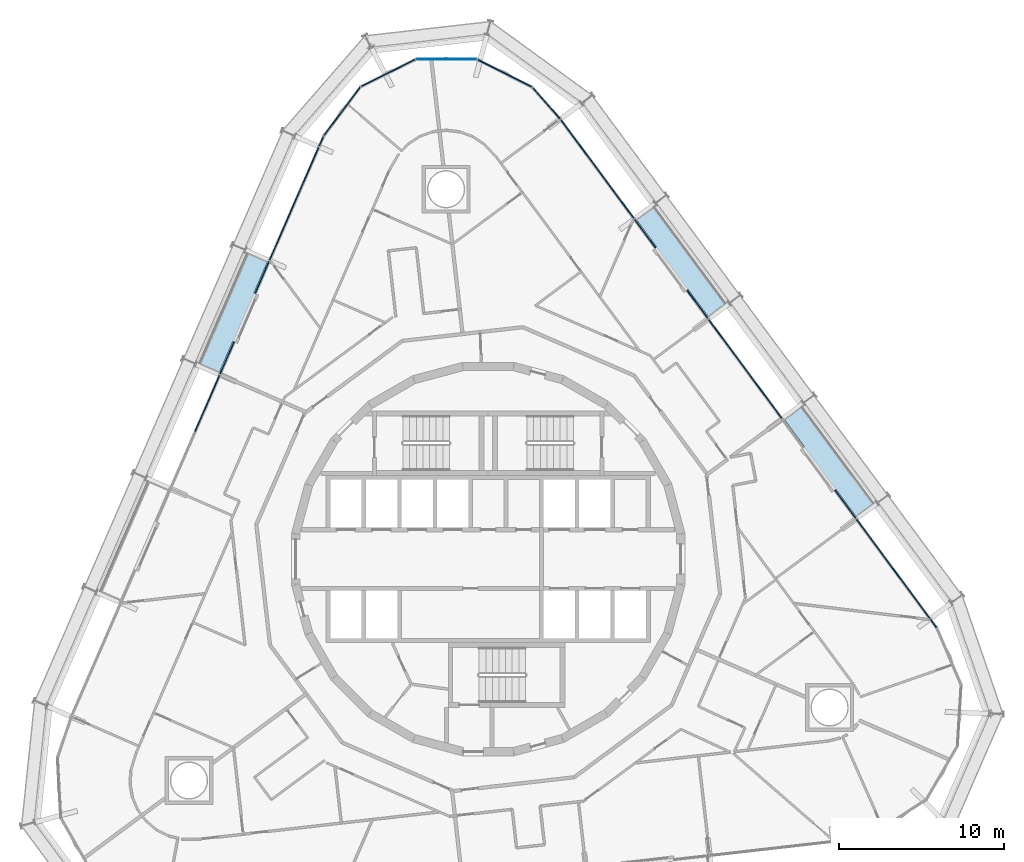
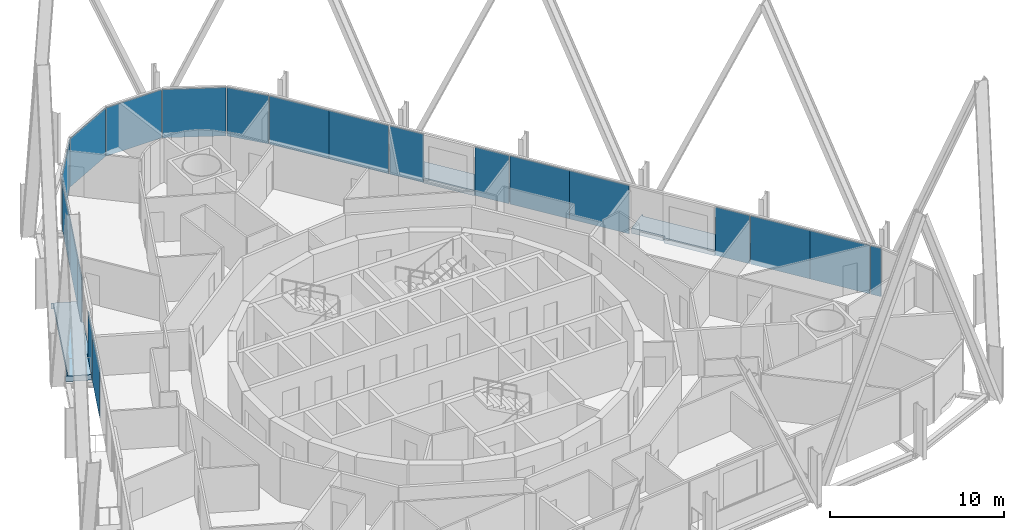
# One storey, part 15 of 23: 21 plates, 3 slabs, 4 elements without a shape of their own.
"""IFC4 building model written with IfcOpenShell, lengths in metres."""

from ifc_helpers import new_model, si_unit, direction, frame, origin, origin_2d, place, context, subcontext, project, spatial, polyline, rectangle, outline, extrude, material, layer, layer_set, type_object, element, aggregate, save


model = new_model("IFC4")

# Units and contexts
model_context = context("Model", 3, precision=1e-05, world=origin(), true_north=direction((0.0, 1.0)))
body_context = subcontext(model_context, "Body", "Model", "MODEL_VIEW")
ifc_project = project(units=[si_unit("LENGTHUNIT", "METRE"), si_unit("AREAUNIT", "SQUARE_METRE"), si_unit("VOLUMEUNIT", "CUBIC_METRE"), si_unit("PLANEANGLEUNIT", "RADIAN"), si_unit("MASSUNIT", "GRAM", prefix="KILO")], contexts=[model_context])

# Site, building, storey
site_placement = place(None, origin())
site = spatial("IfcSite", under=ifc_project, at=site_placement, CompositionType="ELEMENT")
building_placement = place(site_placement, origin())
building = spatial("IfcBuilding", under=site, at=building_placement, Name="Spindle Arch Residences", CompositionType="ELEMENT")
storey_placement = place(building_placement, frame((0.0, 0.0, 90.699951171875)))
storey = spatial("IfcBuildingStorey", under=building, at=storey_placement, Name="L21", CompositionType="ELEMENT", Elevation=90.699951171875)

# Slabs
ifc_material_1 = material(Name="Concrete C40/50", Category="concrete")
ifc_layer_1 = layer(ifc_material_1, 0.3798828125)
ifc_layer_set_1 = layer_set([ifc_layer_1], Name="Balcony slab 380")
slab_type = type_object("IfcSlabType", Name="Balcony slab 380", PredefinedType="FLOOR", material=ifc_layer_set_1)
slab_1_placement = place(storey_placement, frame((0.0, 0.0, -0.3798828125)))
element("IfcSlab", 1, at=slab_1_placement, inside=storey, type_object=slab_type, Name="Balcony L21 bay 7", PredefinedType="FLOOR", context=body_context, shape_type="SweptSolid", body=[
    extrude(outline(polyline([(23.470703125, 3.430419921875), (23.426025390625, 3.49072265625), (23.305419921875, 3.401611328125), (19.011474609375, 9.204345703125), (19.132080078125, 9.293701171875), (19.08740234375, 9.35400390625), (17.8896484375, 8.4677734375), (19.129638671875, 6.7919921875), (19.0009765625, 6.697021484375), (20.904296875, 4.12451171875), (21.032958984375, 4.2197265625), (22.27294921875, 2.544189453125), (23.470703125, 3.430419921875)])), origin(), (0.0, 0.0, 1.0), 0.3798828125),
])
slab_2_placement = place(storey_placement, frame((0.0, 0.0, -0.3798828125)))
element("IfcSlab", 2, at=slab_2_placement, inside=storey, type_object=slab_type, Name="Balcony L21 bay 9", PredefinedType="FLOOR", context=body_context, shape_type="SweptSolid", body=[
    extrude(outline(polyline([(14.52587890625, 15.5185546875), (14.481201171875, 15.578857421875), (14.360595703125, 15.48974609375), (10.066650390625, 21.29248046875), (10.187255859375, 21.3818359375), (10.142822265625, 21.442138671875), (8.945068359375, 20.5556640625), (10.184814453125, 18.880126953125), (10.05615234375, 18.78515625), (11.959716796875, 16.212646484375), (12.088134765625, 16.307861328125), (13.328125, 14.63232421875), (14.52587890625, 15.5185546875)])), origin(), (0.0, 0.0, 1.0), 0.3798828125),
])
slab_3_placement = place(storey_placement, frame((0.0, 0.0, -0.3798828125)))
element("IfcSlab", 3, at=slab_3_placement, inside=storey, type_object=slab_type, Name="Balcony L21 bay 15", PredefinedType="FLOOR", context=body_context, shape_type="SweptSolid", body=[
    extrude(outline(polyline([(-14.7060546875, 18.61083984375), (-14.736083984375, 18.5419921875), (-14.5986328125, 18.482177734375), (-17.47705078125, 11.8623046875), (-17.614501953125, 11.922119140625), (-17.64453125, 11.853271484375), (-16.278076171875, 11.259033203125), (-15.447021484375, 13.170654296875), (-15.30029296875, 13.10693359375), (-14.024169921875, 16.04150390625), (-14.1708984375, 16.105224609375), (-13.33984375, 18.016845703125), (-14.7060546875, 18.61083984375)])), origin(), (0.0, 0.0, 1.0), 0.3798828125),
])

# Curtain wall, plate
ifc_material_2 = material(Name="Aluminium bronze unitised frame with tinted glass", Category="aluminium")
ifc_layer_2 = layer(ifc_material_2, 0.159912109375)
ifc_layer_set_2 = layer_set([ifc_layer_2], Name="CW-D corner wall on the fillet arcs")
curtain_wall_type_1 = type_object("IfcCurtainWallType", Name="CW-D corner wall on the fillet arcs", PredefinedType="NOTDEFINED", material=ifc_layer_set_2)
curtain_wall_1_placement = place(storey_placement, origin())
curtain_wall_1 = element("IfcCurtainWall", 4, at=curtain_wall_1_placement, inside=storey, type_object=curtain_wall_type_1, Name="CW-D L21 run 1", PredefinedType="NOTDEFINED")
ifc_material_3 = material(Name="Tinted double glazing over aluminium faced non-combustible spandrel zone (K0)", Category="aluminium")
ifc_layer_3 = layer(ifc_material_3, 0.06005859375)
ifc_layer_set_3 = layer_set([ifc_layer_3], Name="Unitised glass panel with E 60 spandrel zone")
plate_type = type_object("IfcPlateType", Name="Unitised glass panel with E 60 spandrel zone", PredefinedType="CURTAIN_PANEL", material=ifc_layer_set_3)
plate_1_placement = place(storey_placement, frame((26.93408203125, -3.8896484375, -0.3798828125), z_axis=(0.0, 0.0, 1.0), x_axis=(-0.594822786751, 0.803856860617, 0.0)))
plate_1 = element("IfcPlate", 5, at=plate_1_placement, type_object=plate_type, Name="CW-D unit 05", PredefinedType="CURTAIN_PANEL", context=body_context, shape_type="SweptSolid", body=[
    extrude(rectangle(XDim=0.6416015625, YDim=0.06005859375, at=origin_2d()), origin(), (0.0, 0.0, 1.0), 3.3798828125),
])
aggregate(curtain_wall_1, [plate_1])

# Curtain wall, plates
ifc_material_4 = material(Name="Aluminium bronze unitised frame with tinted glass", Category="aluminium")
ifc_layer_4 = layer(ifc_material_4, 0.159912109375)
ifc_layer_set_4 = layer_set([ifc_layer_4], Name="CW-C typical residential unitised wall")
curtain_wall_type_2 = type_object("IfcCurtainWallType", Name="CW-C typical residential unitised wall", PredefinedType="NOTDEFINED", material=ifc_layer_set_4)
curtain_wall_2_placement = place(storey_placement, origin())
curtain_wall_2 = element("IfcCurtainWall", 6, at=curtain_wall_2_placement, inside=storey, type_object=curtain_wall_type_2, Name="CW-C L21 run 2", PredefinedType="NOTDEFINED")
plate_2_placement = place(storey_placement, frame((25.598388671875, -2.084716796875, -0.3798828125), z_axis=(0.0, 0.0, 1.0), x_axis=(-0.594822786751, 0.803856860617, 0.0)))
plate_2 = element("IfcPlate", 7, at=plate_2_placement, type_object=plate_type, Name="CW-C unit 05A", PredefinedType="CURTAIN_PANEL", context=body_context, shape_type="SweptSolid", body=[
    extrude(rectangle(XDim=3.7294921875, YDim=0.06005859375, at=origin_2d()), origin(), (0.0, 0.0, 1.0), 3.3798828125),
])
plate_3_placement = place(storey_placement, frame((23.380126953125, 0.913330078125, -0.3798828125), z_axis=(0.0, 0.0, 1.0), x_axis=(-0.594822786751, 0.803856860617, 0.0)))
plate_3 = element("IfcPlate", 8, at=plate_3_placement, type_object=plate_type, Name="CW-C unit 05B", PredefinedType="CURTAIN_PANEL", context=body_context, shape_type="SweptSolid", body=[
    extrude(rectangle(XDim=3.7294921875, YDim=0.06005859375, at=origin_2d()), origin(), (0.0, 0.0, 1.0), 3.3798828125),
])
plate_4_placement = place(storey_placement, frame((21.60205078125, 3.31640625, -0.3798828125), z_axis=(0.0, 0.0, 1.0), x_axis=(-0.594822786751, 0.803856860617, 0.0)))
plate_4 = element("IfcPlate", 9, at=plate_4_placement, type_object=plate_type, Name="CW-C unit 06L", PredefinedType="CURTAIN_PANEL", context=body_context, shape_type="SweptSolid", body=[
    extrude(rectangle(XDim=2.12939453125, YDim=0.06005859375, at=origin_2d()), origin(), (0.0, 0.0, 1.0), 3.3798828125),
])
plate_5_placement = place(storey_placement, frame((16.65380859375, 10.00341796875, -0.3798828125), z_axis=(0.0, 0.0, 1.0), x_axis=(-0.594822786751, 0.803856860617, 0.0)))
plate_5 = element("IfcPlate", 10, at=plate_5_placement, type_object=plate_type, Name="CW-C unit 07A", PredefinedType="CURTAIN_PANEL", context=body_context, shape_type="SweptSolid", body=[
    extrude(rectangle(XDim=3.7294921875, YDim=0.06005859375, at=origin_2d()), origin(), (0.0, 0.0, 1.0), 3.3798828125),
])
plate_6_placement = place(storey_placement, frame((14.435546875, 13.00146484375, -0.3798828125), z_axis=(0.0, 0.0, 1.0), x_axis=(-0.594822786751, 0.803856860617, 0.0)))
plate_6 = element("IfcPlate", 11, at=plate_6_placement, type_object=plate_type, Name="CW-C unit 07B", PredefinedType="CURTAIN_PANEL", context=body_context, shape_type="SweptSolid", body=[
    extrude(rectangle(XDim=3.7294921875, YDim=0.06005859375, at=origin_2d()), origin(), (0.0, 0.0, 1.0), 3.3798828125),
])
plate_7_placement = place(storey_placement, frame((12.6572265625, 15.404296875, -0.3798828125), z_axis=(0.0, 0.0, 1.0), x_axis=(-0.594822786751, 0.803856860617, 0.0)))
plate_7 = element("IfcPlate", 12, at=plate_7_placement, type_object=plate_type, Name="CW-C unit 08L", PredefinedType="CURTAIN_PANEL", context=body_context, shape_type="SweptSolid", body=[
    extrude(rectangle(XDim=2.12939453125, YDim=0.06005859375, at=origin_2d()), origin(), (0.0, 0.0, 1.0), 3.3798828125),
])
plate_8_placement = place(storey_placement, frame((9.4873046875, 19.6884765625, -0.3798828125), z_axis=(0.0, 0.0, 1.0), x_axis=(-0.594822786751, 0.803856860617, 0.0)))
plate_8 = element("IfcPlate", 13, at=plate_8_placement, type_object=plate_type, Name="CW-C unit 08R", PredefinedType="CURTAIN_PANEL", context=body_context, shape_type="SweptSolid", body=[
    extrude(rectangle(XDim=2.12939453125, YDim=0.06005859375, at=origin_2d()), origin(), (0.0, 0.0, 1.0), 3.3798828125),
])
plate_9_placement = place(storey_placement, frame((7.708984375, 22.091552734375, -0.3798828125), z_axis=(0.0, 0.0, 1.0), x_axis=(-0.594822786751, 0.803856860617, 0.0)))
plate_9 = element("IfcPlate", 14, at=plate_9_placement, type_object=plate_type, Name="CW-C unit 09A", PredefinedType="CURTAIN_PANEL", context=body_context, shape_type="SweptSolid", body=[
    extrude(rectangle(XDim=3.7294921875, YDim=0.06005859375, at=origin_2d()), origin(), (0.0, 0.0, 1.0), 3.3798828125),
])
plate_10_placement = place(storey_placement, frame((5.49072265625, 25.08935546875, -0.3798828125), z_axis=(0.0, 0.0, 1.0), x_axis=(-0.594822786751, 0.803856860617, 0.0)))
plate_10 = element("IfcPlate", 15, at=plate_10_placement, type_object=plate_type, Name="CW-C unit 09B", PredefinedType="CURTAIN_PANEL", context=body_context, shape_type="SweptSolid", body=[
    extrude(rectangle(XDim=3.7294921875, YDim=0.06005859375, at=origin_2d()), origin(), (0.0, 0.0, 1.0), 3.3798828125),
])
aggregate(curtain_wall_2, [plate_2, plate_3, plate_4, plate_5, plate_6, plate_7, plate_8, plate_9, plate_10])

curtain_wall_3_placement = place(storey_placement, origin())
curtain_wall_3 = element("IfcCurtainWall", 16, at=curtain_wall_3_placement, inside=storey, type_object=curtain_wall_type_1, Name="CW-D L21 run 3", PredefinedType="NOTDEFINED")
plate_11_placement = place(storey_placement, frame((3.513427734375, 27.57861328125, -0.3798828125), z_axis=(0.0, 0.0, 1.0), x_axis=(-0.660703891733, 0.750646632877, 0.0)))
plate_11 = element("IfcPlate", 17, at=plate_11_placement, type_object=plate_type, Name="CW-D unit 00", PredefinedType="CURTAIN_PANEL", context=body_context, shape_type="SweptSolid", body=[
    extrude(rectangle(XDim=2.51416015625, YDim=0.06005859375, at=origin_2d()), origin(), (0.0, 0.0, 1.0), 3.3798828125),
])
plate_12_placement = place(storey_placement, frame((1.000244140625, 29.385986328125, -0.3798828125), z_axis=(0.0, 0.0, 1.0), x_axis=(-0.892323355439, 0.451396753797, 0.0)))
plate_12 = element("IfcPlate", 18, at=plate_12_placement, type_object=plate_type, Name="CW-D unit 01", PredefinedType="CURTAIN_PANEL", context=body_context, shape_type="SweptSolid", body=[
    extrude(rectangle(XDim=3.666748046875, YDim=0.06005859375, at=origin_2d()), origin(), (0.0, 0.0, 1.0), 3.3798828125),
])
plate_13_placement = place(storey_placement, frame((-2.52587890625, 30.232421875, -0.3798828125), z_axis=(0.0, 0.0, 1.0), x_axis=(-0.999995769195, 0.002908881551, 0.0)))
plate_13 = element("IfcPlate", 19, at=plate_13_placement, type_object=plate_type, Name="CW-D unit 02", PredefinedType="CURTAIN_PANEL", context=body_context, shape_type="SweptSolid", body=[
    extrude(rectangle(XDim=3.666748046875, YDim=0.06005859375, at=origin_2d()), origin(), (0.0, 0.0, 1.0), 3.3798828125),
])
plate_14_placement = place(storey_placement, frame((-6.056884765625, 29.406494140625, -0.3798828125), z_axis=(0.0, 0.0, 1.0), x_axis=(-0.89493436175, -0.446197812813, 0.0)))
plate_14 = element("IfcPlate", 20, at=plate_14_placement, type_object=plate_type, Name="CW-D unit 03", PredefinedType="CURTAIN_PANEL", context=body_context, shape_type="SweptSolid", body=[
    extrude(rectangle(XDim=3.666748046875, YDim=0.06005859375, at=origin_2d()), origin(), (0.0, 0.0, 1.0), 3.3798828125),
])
plate_15_placement = place(storey_placement, frame((-8.841552734375, 27.08349609375, -0.3798828125), z_axis=(0.0, 0.0, 1.0), x_axis=(-0.599489340736, -0.800382739909, 0.0)))
plate_15 = element("IfcPlate", 21, at=plate_15_placement, type_object=plate_type, Name="CW-D unit 04", PredefinedType="CURTAIN_PANEL", context=body_context, shape_type="SweptSolid", body=[
    extrude(rectangle(XDim=3.666748046875, YDim=0.06005859375, at=origin_2d()), origin(), (0.0, 0.0, 1.0), 3.3798828125),
])
plate_16_placement = place(storey_placement, frame((-10.098388671875, 25.2705078125, -0.3798828125), z_axis=(0.0, 0.0, 1.0), x_axis=(-0.398749068925, -0.917060074385, 0.0)))
plate_16 = element("IfcPlate", 22, at=plate_16_placement, type_object=plate_type, Name="CW-D unit 05", PredefinedType="CURTAIN_PANEL", context=body_context, shape_type="SweptSolid", body=[
    extrude(rectangle(XDim=0.6416015625, YDim=0.06005859375, at=origin_2d()), origin(), (0.0, 0.0, 1.0), 3.3798828125),
])
aggregate(curtain_wall_3, [plate_11, plate_12, plate_13, plate_14, plate_15, plate_16])

curtain_wall_4_placement = place(storey_placement, origin())
curtain_wall_4 = element("IfcCurtainWall", 23, at=curtain_wall_4_placement, inside=storey, type_object=curtain_wall_type_2, Name="CW-C L21 run 4", PredefinedType="NOTDEFINED")
plate_17_placement = place(storey_placement, frame((-10.993896484375, 23.211181640625, -0.3798828125), z_axis=(0.0, 0.0, 1.0), x_axis=(-0.398749068925, -0.917060074385, 0.0)))
plate_17 = element("IfcPlate", 24, at=plate_17_placement, type_object=plate_type, Name="CW-C unit 13A", PredefinedType="CURTAIN_PANEL", context=body_context, shape_type="SweptSolid", body=[
    extrude(rectangle(XDim=3.7294921875, YDim=0.06005859375, at=origin_2d()), origin(), (0.0, 0.0, 1.0), 3.3798828125),
])
plate_18_placement = place(storey_placement, frame((-12.48095703125, 19.791259765625, -0.3798828125), z_axis=(0.0, 0.0, 1.0), x_axis=(-0.398749068925, -0.917060074385, 0.0)))
plate_18 = element("IfcPlate", 25, at=plate_18_placement, type_object=plate_type, Name="CW-C unit 13B", PredefinedType="CURTAIN_PANEL", context=body_context, shape_type="SweptSolid", body=[
    extrude(rectangle(XDim=3.7294921875, YDim=0.06005859375, at=origin_2d()), origin(), (0.0, 0.0, 1.0), 3.3798828125),
])
plate_19_placement = place(storey_placement, frame((-13.673095703125, 17.0498046875, -0.3798828125), z_axis=(0.0, 0.0, 1.0), x_axis=(-0.398749068925, -0.917060074385, 0.0)))
plate_19 = element("IfcPlate", 26, at=plate_19_placement, type_object=plate_type, Name="CW-C unit 14L", PredefinedType="CURTAIN_PANEL", context=body_context, shape_type="SweptSolid", body=[
    extrude(rectangle(XDim=2.12939453125, YDim=0.06005859375, at=origin_2d()), origin(), (0.0, 0.0, 1.0), 3.3798828125),
])
plate_20_placement = place(storey_placement, frame((-15.798095703125, 12.162353515625, -0.3798828125), z_axis=(0.0, 0.0, 1.0), x_axis=(-0.398749068925, -0.917060074385, 0.0)))
plate_20 = element("IfcPlate", 27, at=plate_20_placement, type_object=plate_type, Name="CW-C unit 14R", PredefinedType="CURTAIN_PANEL", context=body_context, shape_type="SweptSolid", body=[
    extrude(rectangle(XDim=2.12939453125, YDim=0.06005859375, at=origin_2d()), origin(), (0.0, 0.0, 1.0), 3.3798828125),
])
plate_21_placement = place(storey_placement, frame((-16.990234375, 9.4208984375, -0.3798828125), z_axis=(0.0, 0.0, 1.0), x_axis=(-0.398749068925, -0.917060074385, 0.0)))
plate_21 = element("IfcPlate", 28, at=plate_21_placement, type_object=plate_type, Name="CW-C unit 15A", PredefinedType="CURTAIN_PANEL", context=body_context, shape_type="SweptSolid", body=[
    extrude(rectangle(XDim=3.7294921875, YDim=0.06005859375, at=origin_2d()), origin(), (0.0, 0.0, 1.0), 3.3798828125),
])
aggregate(curtain_wall_4, [plate_17, plate_18, plate_19, plate_20, plate_21])

save(model, "model.ifc")
